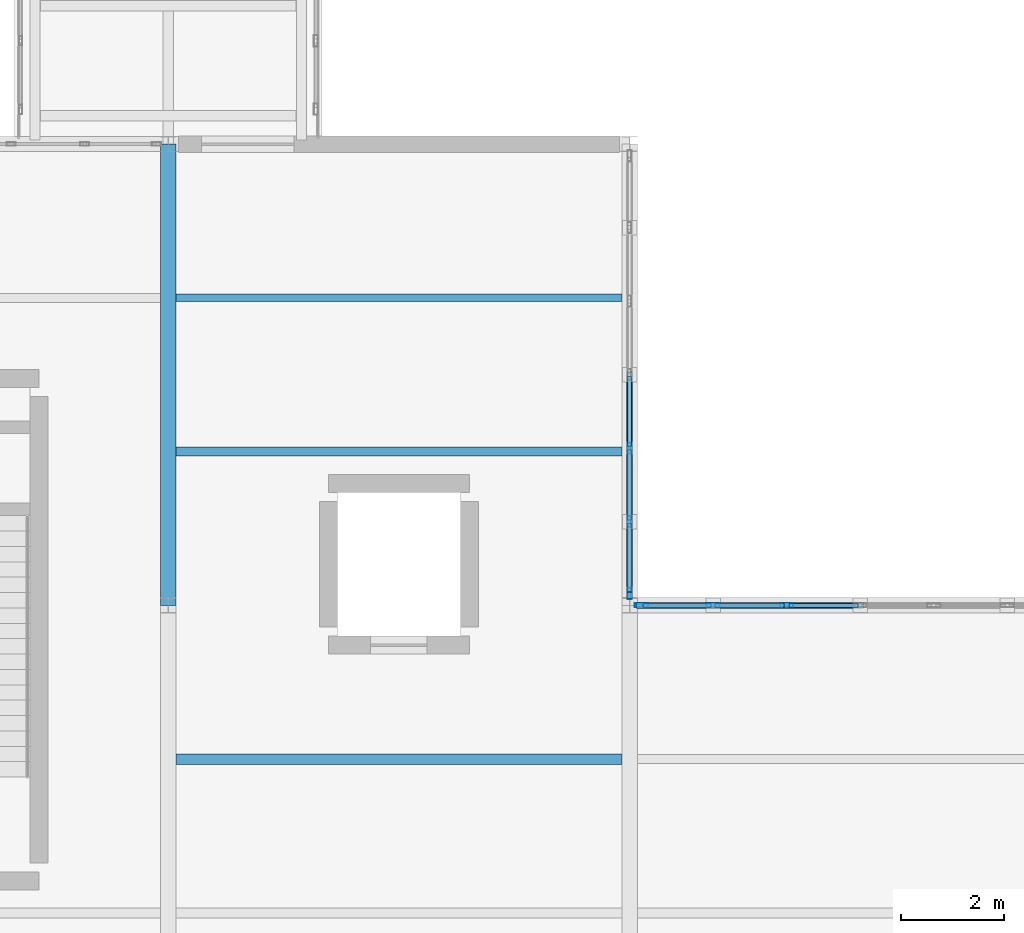
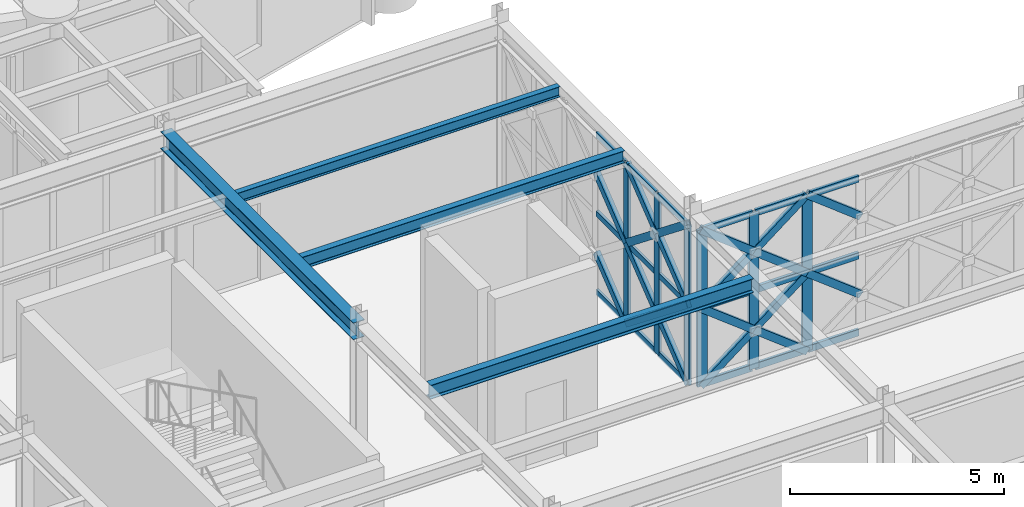
# One storey, part 43 of 155: 40 members, 4 beams, 2 elements without a shape of their own.
"""IFC4 building model written with IfcOpenShell, lengths in metres."""

from ifc_helpers import new_model, si_unit, direction, frame, origin, origin_2d, place, context, subcontext, project, spatial, hollow_rectangle, i_section, extrude, material, material_profile, profile_set, type_object, element, aggregate, save


model = new_model("IFC4")

# Units and contexts
model_context = context("Model", 3, precision=1e-05, world=origin(), true_north=direction((0.0, 1.0)))
body_context = subcontext(model_context, "Body", "Model", "MODEL_VIEW")
ifc_project = project(units=[si_unit("LENGTHUNIT", "METRE"), si_unit("AREAUNIT", "SQUARE_METRE"), si_unit("VOLUMEUNIT", "CUBIC_METRE"), si_unit("PLANEANGLEUNIT", "RADIAN"), si_unit("MASSUNIT", "GRAM", prefix="KILO")], contexts=[model_context])

# Site, building, storey
site_placement = place(None, origin())
site = spatial("IfcSite", under=ifc_project, at=site_placement, CompositionType="ELEMENT")
building_placement = place(site_placement, origin())
building = spatial("IfcBuilding", under=site, at=building_placement, Name="Haizhuo Lancet Aquarium", CompositionType="ELEMENT")
storey_placement = place(building_placement, frame((0.0, 0.0, 10.800048828125)))
storey = spatial("IfcBuildingStorey", under=building, at=storey_placement, Name="L02", CompositionType="ELEMENT", Elevation=10.800048828125)

# Beam
ifc_material_1 = material(Name="Steel S355", Category="steel")
ifc_material_profile_1 = material_profile(ifc_material_1, i_section(OverallWidth=0.300048828125, OverallDepth=0.488037109375, WebThickness=0.010986328125, FlangeThickness=0.01806640625, FilletRadius=0.02392578125, at=origin_2d()), Name="HM 488x300x11x18")
ifc_profile_set_1 = profile_set([ifc_material_profile_1], Name="Steel S355")
beam_type_1 = type_object("IfcBeamType", Name="BM-ST-HM488", PredefinedType="BEAM", material=ifc_profile_set_1)
beam_1_placement = place(storey_placement, frame((0.0, -36.0, 4.805908203125), z_axis=(0.0, 1.0, 0.0), x_axis=(-1.0, 0.0, 0.0)))
element("IfcBeam", 1, at=beam_1_placement, inside=storey, type_object=beam_type_1, Name="L02 V4 primary girder BM-L02-V4-018", PredefinedType="BEAM", context=body_context, shape_type="SweptSolid", body=[
    extrude(i_section(OverallWidth=0.300048828125, OverallDepth=0.488037109375, WebThickness=0.010986328125, FlangeThickness=0.01806640625, FilletRadius=0.02392578125, at=origin_2d()), origin(), (0.0, 0.0, 1.0), 9.0),
])

# Curtain wall, members
ifc_material_2 = material(Name="Aluminium 6063-T6", Category="aluminium")
curtain_wall_type_1 = type_object("IfcCurtainWallType", Name="CWO-8610x4560", PredefinedType="NOTDEFINED", material=ifc_material_2)
curtain_wall_1_placement = place(storey_placement, origin())
curtain_wall_1 = element("IfcCurtainWall", 2, at=curtain_wall_1_placement, inside=storey, type_object=curtain_wall_type_1, Name="L02 curtain wall CW-V4-L02-104", PredefinedType="NOTDEFINED")
ifc_material_profile_2 = material_profile(ifc_material_2, hollow_rectangle(XDim=0.074951171875, YDim=0.219970703125, WallThickness=0.0048828125, at=origin_2d()), Name="ALU-M 75x220x5")
ifc_profile_set_2 = profile_set([ifc_material_profile_2], Name="Aluminium 6063-T6")
member_type_1 = type_object("IfcMemberType", Name="CW-MUL-2", PredefinedType="MULLION", material=ifc_profile_set_2)
member_1_placement = place(storey_placement, frame((9.0, -32.93505859375, 0.0), z_axis=(0.0, 0.0, 1.0), x_axis=(1.0, 0.0, 0.0)))
member_1 = element("IfcMember", 3, at=member_1_placement, type_object=member_type_1, Name="CWO-86x45 mullion 5", PredefinedType="MULLION", context=body_context, shape_type="SweptSolid", body=[
    extrude(hollow_rectangle(XDim=0.074951171875, YDim=0.219970703125, WallThickness=0.0048828125, at=origin_2d()), origin(), (0.0, 0.0, 1.0), 4.56201171875),
])
member_2_placement = place(storey_placement, frame((9.0, -34.3701171875, 0.0), z_axis=(0.0, 0.0, 1.0), x_axis=(1.0, 0.0, 0.0)))
member_2 = element("IfcMember", 4, at=member_2_placement, type_object=member_type_1, Name="CWO-86x45 mullion 6", PredefinedType="MULLION", context=body_context, shape_type="SweptSolid", body=[
    extrude(hollow_rectangle(XDim=0.074951171875, YDim=0.219970703125, WallThickness=0.0048828125, at=origin_2d()), origin(), (0.0, 0.0, 1.0), 4.56201171875),
])
member_3_placement = place(storey_placement, frame((9.0, -35.76708984375, 0.0), z_axis=(0.0, 0.0, 1.0), x_axis=(1.0, 0.0, 0.0)))
member_3 = element("IfcMember", 5, at=member_3_placement, type_object=member_type_1, Name="CWO-86x45 mullion 7", PredefinedType="MULLION", context=body_context, shape_type="SweptSolid", body=[
    extrude(hollow_rectangle(XDim=0.074951171875, YDim=0.219970703125, WallThickness=0.0048828125, at=origin_2d()), origin(), (0.0, 0.0, 1.0), 4.56201171875),
])

curtain_wall_type_2 = type_object("IfcCurtainWallType", Name="CWO-8610x4460", PredefinedType="NOTDEFINED", material=ifc_material_2)
curtain_wall_2_placement = place(storey_placement, origin())
curtain_wall_2 = element("IfcCurtainWall", 6, at=curtain_wall_2_placement, inside=storey, type_object=curtain_wall_type_2, Name="L02 curtain wall CW-V4-L02-105", PredefinedType="NOTDEFINED")
ifc_material_profile_3 = material_profile(ifc_material_2, hollow_rectangle(XDim=0.080078125, YDim=0.260009765625, WallThickness=0.0048828125, at=origin_2d()), Name="ALU-M 80x260x5")
ifc_profile_set_3 = profile_set([ifc_material_profile_3], Name="Aluminium 6063-T6")
member_type_2 = type_object("IfcMemberType", Name="CW-MUL-3", PredefinedType="MULLION", material=ifc_profile_set_3)
member_4_placement = place(storey_placement, frame((9.235107421875, -36.0, 0.0), z_axis=(0.0, 0.0, 1.0), x_axis=(0.0, 1.0, 0.0)))
member_4 = element("IfcMember", 7, at=member_4_placement, type_object=member_type_2, Name="CWO-86x44 mullion 1", PredefinedType="MULLION", context=body_context, shape_type="SweptSolid", body=[
    extrude(hollow_rectangle(XDim=0.080078125, YDim=0.260009765625, WallThickness=0.0048828125, at=origin_2d()), origin(), (0.0, 0.0, 1.0), 4.4619140625),
])
member_5_placement = place(storey_placement, frame((10.6298828125, -36.0, 0.0), z_axis=(0.0, 0.0, 1.0), x_axis=(0.0, 1.0, 0.0)))
member_5 = element("IfcMember", 8, at=member_5_placement, type_object=member_type_2, Name="CWO-86x44 mullion 2", PredefinedType="MULLION", context=body_context, shape_type="SweptSolid", body=[
    extrude(hollow_rectangle(XDim=0.080078125, YDim=0.260009765625, WallThickness=0.0048828125, at=origin_2d()), origin(), (0.0, 0.0, 1.0), 4.4619140625),
])
member_6_placement = place(storey_placement, frame((12.06494140625, -36.0, 0.0), z_axis=(0.0, 0.0, 1.0), x_axis=(0.0, 1.0, 0.0)))
member_6 = element("IfcMember", 9, at=member_6_placement, type_object=member_type_2, Name="CWO-86x44 mullion 3", PredefinedType="MULLION", context=body_context, shape_type="SweptSolid", body=[
    extrude(hollow_rectangle(XDim=0.080078125, YDim=0.260009765625, WallThickness=0.0048828125, at=origin_2d()), origin(), (0.0, 0.0, 1.0), 4.4619140625),
])

# Member
ifc_material_profile_4 = material_profile(ifc_material_2, hollow_rectangle(XDim=0.074951171875, YDim=0.159912109375, WallThickness=0.00390625, at=origin_2d()), Name="ALU-T 75x160x4")
ifc_profile_set_4 = profile_set([ifc_material_profile_4], Name="Aluminium 6063-T6")
member_type_3 = type_object("IfcMemberType", Name="CW-TRN-2", PredefinedType="NOTDEFINED", material=ifc_profile_set_4)
member_7_placement = place(storey_placement, frame((9.0, -31.5380859375, 0.037841796875), z_axis=(0.0, -1.0, 0.0), x_axis=(1.0, 0.0, 0.0)))
member_7 = element("IfcMember", 10, at=member_7_placement, type_object=member_type_3, Name="CWO-86x45 transom 4.1", ObjectType="TRANSOM", PredefinedType="USERDEFINED", context=body_context, shape_type="SweptSolid", body=[
    extrude(hollow_rectangle(XDim=0.074951171875, YDim=0.159912109375, WallThickness=0.00390625, at=origin_2d()), origin(), (0.0, 0.0, 1.0), 1.35986328125),
])

member_8_placement = place(storey_placement, frame((9.0, -31.5380859375, 2.281005859375), z_axis=(0.0, -1.0, 0.0), x_axis=(1.0, 0.0, 0.0)))
member_8 = element("IfcMember", 11, at=member_8_placement, type_object=member_type_3, Name="CWO-86x45 transom 4.2", ObjectType="TRANSOM", PredefinedType="USERDEFINED", context=body_context, shape_type="SweptSolid", body=[
    extrude(hollow_rectangle(XDim=0.074951171875, YDim=0.159912109375, WallThickness=0.00390625, at=origin_2d()), origin(), (0.0, 0.0, 1.0), 1.35986328125),
])

member_9_placement = place(storey_placement, frame((9.0, -31.5380859375, 4.52490234375), z_axis=(0.0, -1.0, 0.0), x_axis=(1.0, 0.0, 0.0)))
member_9 = element("IfcMember", 12, at=member_9_placement, type_object=member_type_3, Name="CWO-86x45 transom 4.3", ObjectType="TRANSOM", PredefinedType="USERDEFINED", context=body_context, shape_type="SweptSolid", body=[
    extrude(hollow_rectangle(XDim=0.074951171875, YDim=0.159912109375, WallThickness=0.00390625, at=origin_2d()), origin(), (0.0, 0.0, 1.0), 1.35986328125),
])

member_10_placement = place(storey_placement, frame((9.0, -32.971923828125, 0.037841796875), z_axis=(0.0, -1.0, 0.0), x_axis=(1.0, 0.0, 0.0)))
member_10 = element("IfcMember", 13, at=member_10_placement, type_object=member_type_3, Name="CWO-86x45 transom 5.1", ObjectType="TRANSOM", PredefinedType="USERDEFINED", context=body_context, shape_type="SweptSolid", body=[
    extrude(hollow_rectangle(XDim=0.074951171875, YDim=0.159912109375, WallThickness=0.00390625, at=origin_2d()), origin(), (0.0, 0.0, 1.0), 1.360107421875),
])

member_11_placement = place(storey_placement, frame((9.0, -32.971923828125, 2.281005859375), z_axis=(0.0, -1.0, 0.0), x_axis=(1.0, 0.0, 0.0)))
member_11 = element("IfcMember", 14, at=member_11_placement, type_object=member_type_3, Name="CWO-86x45 transom 5.2", ObjectType="TRANSOM", PredefinedType="USERDEFINED", context=body_context, shape_type="SweptSolid", body=[
    extrude(hollow_rectangle(XDim=0.074951171875, YDim=0.159912109375, WallThickness=0.00390625, at=origin_2d()), origin(), (0.0, 0.0, 1.0), 1.360107421875),
])

member_12_placement = place(storey_placement, frame((9.0, -32.971923828125, 4.52490234375), z_axis=(0.0, -1.0, 0.0), x_axis=(1.0, 0.0, 0.0)))
member_12 = element("IfcMember", 15, at=member_12_placement, type_object=member_type_3, Name="CWO-86x45 transom 5.3", ObjectType="TRANSOM", PredefinedType="USERDEFINED", context=body_context, shape_type="SweptSolid", body=[
    extrude(hollow_rectangle(XDim=0.074951171875, YDim=0.159912109375, WallThickness=0.00390625, at=origin_2d()), origin(), (0.0, 0.0, 1.0), 1.360107421875),
])

member_13_placement = place(storey_placement, frame((9.0, -34.406982421875, 0.037841796875), z_axis=(0.0, -1.0, 0.0), x_axis=(1.0, 0.0, 0.0)))
member_13 = element("IfcMember", 16, at=member_13_placement, type_object=member_type_3, Name="CWO-86x45 transom 6.1", ObjectType="TRANSOM", PredefinedType="USERDEFINED", context=body_context, shape_type="SweptSolid", body=[
    extrude(hollow_rectangle(XDim=0.074951171875, YDim=0.159912109375, WallThickness=0.00390625, at=origin_2d()), origin(), (0.0, 0.0, 1.0), 1.322998046875),
])

member_14_placement = place(storey_placement, frame((9.0, -34.406982421875, 2.281005859375), z_axis=(0.0, -1.0, 0.0), x_axis=(1.0, 0.0, 0.0)))
member_14 = element("IfcMember", 17, at=member_14_placement, type_object=member_type_3, Name="CWO-86x45 transom 6.2", ObjectType="TRANSOM", PredefinedType="USERDEFINED", context=body_context, shape_type="SweptSolid", body=[
    extrude(hollow_rectangle(XDim=0.074951171875, YDim=0.159912109375, WallThickness=0.00390625, at=origin_2d()), origin(), (0.0, 0.0, 1.0), 1.322998046875),
])

member_15_placement = place(storey_placement, frame((9.0, -34.406982421875, 4.52490234375), z_axis=(0.0, -1.0, 0.0), x_axis=(1.0, 0.0, 0.0)))
member_15 = element("IfcMember", 18, at=member_15_placement, type_object=member_type_3, Name="CWO-86x45 transom 6.3", ObjectType="TRANSOM", PredefinedType="USERDEFINED", context=body_context, shape_type="SweptSolid", body=[
    extrude(hollow_rectangle(XDim=0.074951171875, YDim=0.159912109375, WallThickness=0.00390625, at=origin_2d()), origin(), (0.0, 0.0, 1.0), 1.322998046875),
])

aggregate(curtain_wall_1, [member_1, member_2, member_3, member_7, member_8, member_9, member_10, member_11, member_12, member_13, member_14, member_15])

ifc_material_profile_5 = material_profile(ifc_material_2, hollow_rectangle(XDim=0.080078125, YDim=0.18994140625, WallThickness=0.0048828125, at=origin_2d()), Name="ALU-T 80x190x5")
ifc_profile_set_5 = profile_set([ifc_material_profile_5], Name="Aluminium 6063-T6")
member_type_4 = type_object("IfcMemberType", Name="CW-TRN-3", PredefinedType="NOTDEFINED", material=ifc_profile_set_5)
member_16_placement = place(storey_placement, frame((9.27490234375, -36.0, 0.0400390625), z_axis=(1.0, 0.0, 0.0), x_axis=(0.0, 1.0, 0.0)))
member_16 = element("IfcMember", 19, at=member_16_placement, type_object=member_type_4, Name="CWO-86x44 transom 1.1", ObjectType="TRANSOM", PredefinedType="USERDEFINED", context=body_context, shape_type="SweptSolid", body=[
    extrude(hollow_rectangle(XDim=0.080078125, YDim=0.18994140625, WallThickness=0.0048828125, at=origin_2d()), origin(), (0.0, 0.0, 1.0), 1.315185546875),
])

member_17_placement = place(storey_placement, frame((9.27490234375, -36.0, 2.23095703125), z_axis=(1.0, 0.0, 0.0), x_axis=(0.0, 1.0, 0.0)))
member_17 = element("IfcMember", 20, at=member_17_placement, type_object=member_type_4, Name="CWO-86x44 transom 1.2", ObjectType="TRANSOM", PredefinedType="USERDEFINED", context=body_context, shape_type="SweptSolid", body=[
    extrude(hollow_rectangle(XDim=0.080078125, YDim=0.18994140625, WallThickness=0.0048828125, at=origin_2d()), origin(), (0.0, 0.0, 1.0), 1.315185546875),
])

member_18_placement = place(storey_placement, frame((9.27490234375, -36.0, 4.421875), z_axis=(1.0, 0.0, 0.0), x_axis=(0.0, 1.0, 0.0)))
member_18 = element("IfcMember", 21, at=member_18_placement, type_object=member_type_4, Name="CWO-86x44 transom 1.3", ObjectType="TRANSOM", PredefinedType="USERDEFINED", context=body_context, shape_type="SweptSolid", body=[
    extrude(hollow_rectangle(XDim=0.080078125, YDim=0.18994140625, WallThickness=0.0048828125, at=origin_2d()), origin(), (0.0, 0.0, 1.0), 1.315185546875),
])

member_19_placement = place(storey_placement, frame((10.669921875, -36.0, 0.0400390625), z_axis=(1.0, 0.0, 0.0), x_axis=(0.0, 1.0, 0.0)))
member_19 = element("IfcMember", 22, at=member_19_placement, type_object=member_type_4, Name="CWO-86x44 transom 2.1", ObjectType="TRANSOM", PredefinedType="USERDEFINED", context=body_context, shape_type="SweptSolid", body=[
    extrude(hollow_rectangle(XDim=0.080078125, YDim=0.18994140625, WallThickness=0.0048828125, at=origin_2d()), origin(), (0.0, 0.0, 1.0), 1.35498046875),
])

member_20_placement = place(storey_placement, frame((10.669921875, -36.0, 2.23095703125), z_axis=(1.0, 0.0, 0.0), x_axis=(0.0, 1.0, 0.0)))
member_20 = element("IfcMember", 23, at=member_20_placement, type_object=member_type_4, Name="CWO-86x44 transom 2.2", ObjectType="TRANSOM", PredefinedType="USERDEFINED", context=body_context, shape_type="SweptSolid", body=[
    extrude(hollow_rectangle(XDim=0.080078125, YDim=0.18994140625, WallThickness=0.0048828125, at=origin_2d()), origin(), (0.0, 0.0, 1.0), 1.35498046875),
])

member_21_placement = place(storey_placement, frame((10.669921875, -36.0, 4.421875), z_axis=(1.0, 0.0, 0.0), x_axis=(0.0, 1.0, 0.0)))
member_21 = element("IfcMember", 24, at=member_21_placement, type_object=member_type_4, Name="CWO-86x44 transom 2.3", ObjectType="TRANSOM", PredefinedType="USERDEFINED", context=body_context, shape_type="SweptSolid", body=[
    extrude(hollow_rectangle(XDim=0.080078125, YDim=0.18994140625, WallThickness=0.0048828125, at=origin_2d()), origin(), (0.0, 0.0, 1.0), 1.35498046875),
])

member_22_placement = place(storey_placement, frame((12.10498046875, -36.0, 0.0400390625), z_axis=(1.0, 0.0, 0.0), x_axis=(0.0, 1.0, 0.0)))
member_22 = element("IfcMember", 25, at=member_22_placement, type_object=member_type_4, Name="CWO-86x44 transom 3.1", ObjectType="TRANSOM", PredefinedType="USERDEFINED", context=body_context, shape_type="SweptSolid", body=[
    extrude(hollow_rectangle(XDim=0.080078125, YDim=0.18994140625, WallThickness=0.0048828125, at=origin_2d()), origin(), (0.0, 0.0, 1.0), 1.35498046875),
])

member_23_placement = place(storey_placement, frame((12.10498046875, -36.0, 2.23095703125), z_axis=(1.0, 0.0, 0.0), x_axis=(0.0, 1.0, 0.0)))
member_23 = element("IfcMember", 26, at=member_23_placement, type_object=member_type_4, Name="CWO-86x44 transom 3.2", ObjectType="TRANSOM", PredefinedType="USERDEFINED", context=body_context, shape_type="SweptSolid", body=[
    extrude(hollow_rectangle(XDim=0.080078125, YDim=0.18994140625, WallThickness=0.0048828125, at=origin_2d()), origin(), (0.0, 0.0, 1.0), 1.35498046875),
])

member_24_placement = place(storey_placement, frame((12.10498046875, -36.0, 4.421875), z_axis=(1.0, 0.0, 0.0), x_axis=(0.0, 1.0, 0.0)))
member_24 = element("IfcMember", 27, at=member_24_placement, type_object=member_type_4, Name="CWO-86x44 transom 3.3", ObjectType="TRANSOM", PredefinedType="USERDEFINED", context=body_context, shape_type="SweptSolid", body=[
    extrude(hollow_rectangle(XDim=0.080078125, YDim=0.18994140625, WallThickness=0.0048828125, at=origin_2d()), origin(), (0.0, 0.0, 1.0), 1.35498046875),
])

aggregate(curtain_wall_2, [member_4, member_5, member_6, member_16, member_17, member_18, member_19, member_20, member_21, member_22, member_23, member_24])

# Beams
ifc_material_profile_6 = material_profile(ifc_material_1, i_section(OverallWidth=0.14990234375, OverallDepth=0.300048828125, WebThickness=0.006591796875, FlangeThickness=0.009033203125, FilletRadius=0.012939453125, at=origin_2d()), Name="HN 300x150x6.5x9")
ifc_profile_set_6 = profile_set([ifc_material_profile_6], Name="Steel S355")
beam_type_2 = type_object("IfcBeamType", Name="JST-ST-HN300", PredefinedType="JOIST", material=ifc_profile_set_6)
beam_2_placement = place(storey_placement, frame((0.14990234375, -30.0, 4.89990234375), z_axis=(1.0, 0.0, 0.0), x_axis=(0.0, 1.0, 0.0)))
element("IfcBeam", 28, at=beam_2_placement, inside=storey, type_object=beam_type_2, Name="L02 V4 secondary floor joist 16", PredefinedType="JOIST", context=body_context, shape_type="SweptSolid", body=[
    extrude(i_section(OverallWidth=0.14990234375, OverallDepth=0.300048828125, WebThickness=0.006591796875, FlangeThickness=0.009033203125, FilletRadius=0.012939453125, at=origin_2d()), origin(), (0.0, 0.0, 1.0), 8.7001953125),
])
ifc_material_profile_7 = material_profile(ifc_material_1, i_section(OverallWidth=0.175048828125, OverallDepth=0.35009765625, WebThickness=0.007080078125, FlangeThickness=0.010986328125, FilletRadius=0.013916015625, at=origin_2d()), Name="HN 350x175x7x11")
ifc_profile_set_7 = profile_set([ifc_material_profile_7], Name="Steel S355")
beam_type_3 = type_object("IfcBeamType", Name="JST-ST-HN350", PredefinedType="JOIST", material=ifc_profile_set_7)
beam_3_placement = place(storey_placement, frame((0.14990234375, -33.0, 4.875), z_axis=(1.0, 0.0, 0.0), x_axis=(0.0, 1.0, 0.0)))
element("IfcBeam", 29, at=beam_3_placement, inside=storey, type_object=beam_type_3, Name="L02 V4 secondary floor joist 15", PredefinedType="JOIST", context=body_context, shape_type="SweptSolid", body=[
    extrude(i_section(OverallWidth=0.175048828125, OverallDepth=0.35009765625, WebThickness=0.007080078125, FlangeThickness=0.010986328125, FilletRadius=0.013916015625, at=origin_2d()), origin(), (0.0, 0.0, 1.0), 8.7001953125),
])
ifc_material_profile_8 = material_profile(ifc_material_1, i_section(OverallWidth=0.199951171875, OverallDepth=0.39990234375, WebThickness=0.008056640625, FlangeThickness=0.012939453125, FilletRadius=0.01611328125, at=origin_2d()), Name="HN 400x200x8x13")
ifc_profile_set_8 = profile_set([ifc_material_profile_8], Name="Steel S355")
beam_type_4 = type_object("IfcBeamType", Name="JST-ST-HN400", PredefinedType="JOIST", material=ifc_profile_set_8)
beam_4_placement = place(storey_placement, frame((0.14990234375, -39.0, 4.849853515625), z_axis=(1.0, 0.0, 0.0), x_axis=(0.0, 1.0, 0.0)))
element("IfcBeam", 30, at=beam_4_placement, inside=storey, type_object=beam_type_4, Name="L02 V4 secondary floor joist 14", PredefinedType="JOIST", context=body_context, shape_type="SweptSolid", body=[
    extrude(i_section(OverallWidth=0.199951171875, OverallDepth=0.39990234375, WebThickness=0.008056640625, FlangeThickness=0.012939453125, FilletRadius=0.01611328125, at=origin_2d()), origin(), (0.0, 0.0, 1.0), 8.7001953125),
])

# Members
ifc_material_profile_9 = material_profile(ifc_material_1, hollow_rectangle(XDim=0.1201171875, YDim=0.199951171875, WallThickness=0.008056640625, at=origin_2d()), Name="RHS 120x200x8")
ifc_profile_set_9 = profile_set([ifc_material_profile_9], Name="Steel S355")
member_type_5 = type_object("IfcMemberType", Name="MEM-LB-RHS120x200", PredefinedType="BRACE", material=ifc_profile_set_9)
member_25_placement = place(storey_placement, frame((9.0, -32.93505859375, 0.0), z_axis=(0.0, 0.78277501707, 0.622304806868), x_axis=(-1.0, 0.0, 0.0)))
element("IfcMember", 31, at=member_25_placement, inside=storey, type_object=member_type_5, Name="Gothic lancet split diagonal brace CW-V4-L02-104 3B1", PredefinedType="BRACE", context=body_context, shape_type="SweptSolid", body=[
    extrude(hollow_rectangle(XDim=0.1201171875, YDim=0.199951171875, WallThickness=0.008056640625, at=origin_2d()), origin(), (0.0, 0.0, 1.0), 1.833251953125),
])
member_26_placement = place(storey_placement, frame((9.0, -32.93505859375, 2.281005859375), z_axis=(0.0, 0.783034517143, 0.621978251198), x_axis=(-1.0, 0.0, 0.0)))
element("IfcMember", 32, at=member_26_placement, inside=storey, type_object=member_type_5, Name="Gothic lancet split diagonal brace CW-V4-L02-104 4B1", PredefinedType="BRACE", context=body_context, shape_type="SweptSolid", body=[
    extrude(hollow_rectangle(XDim=0.1201171875, YDim=0.199951171875, WallThickness=0.008056640625, at=origin_2d()), origin(), (0.0, 0.0, 1.0), 1.832763671875),
])
member_27_placement = place(storey_placement, frame((9.0, -32.93505859375, 0.0), z_axis=(0.0, -0.78284654434, 0.622214824651), x_axis=(1.0, 0.0, 0.0)))
element("IfcMember", 33, at=member_27_placement, inside=storey, type_object=member_type_5, Name="Gothic lancet continuous diagonal brace CW-V4-L02-104 5A", PredefinedType="BRACE", context=body_context, shape_type="SweptSolid", body=[
    extrude(hollow_rectangle(XDim=0.1201171875, YDim=0.199951171875, WallThickness=0.008056640625, at=origin_2d()), origin(), (0.0, 0.0, 1.0), 3.666015625),
])
member_28_placement = place(storey_placement, frame((9.0, -35.804931640625, 0.0), z_axis=(0.0, 0.782723437039, 0.622369682029), x_axis=(-1.0, 0.0, 0.0)))
element("IfcMember", 34, at=member_28_placement, inside=storey, type_object=member_type_5, Name="Gothic lancet split diagonal brace CW-V4-L02-104 5B1", PredefinedType="BRACE", context=body_context, shape_type="SweptSolid", body=[
    extrude(hollow_rectangle(XDim=0.1201171875, YDim=0.199951171875, WallThickness=0.008056640625, at=origin_2d()), origin(), (0.0, 0.0, 1.0), 1.8330078125),
])
member_29_placement = place(storey_placement, frame((9.0, -34.3701171875, 1.140869140625), z_axis=(0.0, 0.782969638769, 0.62205992056), x_axis=(-1.0, 0.0, 0.0)))
element("IfcMember", 35, at=member_29_placement, inside=storey, type_object=member_type_5, Name="Gothic lancet split diagonal brace CW-V4-L02-104 5B2", PredefinedType="BRACE", context=body_context, shape_type="SweptSolid", body=[
    extrude(hollow_rectangle(XDim=0.1201171875, YDim=0.199951171875, WallThickness=0.008056640625, at=origin_2d()), origin(), (0.0, 0.0, 1.0), 1.832763671875),
])
member_30_placement = place(storey_placement, frame((9.0, -32.93505859375, 2.281005859375), z_axis=(0.0, -0.78284654434, 0.622214824651), x_axis=(1.0, 0.0, 0.0)))
element("IfcMember", 36, at=member_30_placement, inside=storey, type_object=member_type_5, Name="Gothic lancet continuous diagonal brace CW-V4-L02-104 6A", PredefinedType="BRACE", context=body_context, shape_type="SweptSolid", body=[
    extrude(hollow_rectangle(XDim=0.1201171875, YDim=0.199951171875, WallThickness=0.008056640625, at=origin_2d()), origin(), (0.0, 0.0, 1.0), 3.666015625),
])
member_31_placement = place(storey_placement, frame((9.0, -35.804931640625, 2.281005859375), z_axis=(0.0, 0.782982974145, 0.622043135321), x_axis=(-1.0, 0.0, 0.0)))
element("IfcMember", 37, at=member_31_placement, inside=storey, type_object=member_type_5, Name="Gothic lancet split diagonal brace CW-V4-L02-104 6B1", PredefinedType="BRACE", context=body_context, shape_type="SweptSolid", body=[
    extrude(hollow_rectangle(XDim=0.1201171875, YDim=0.199951171875, WallThickness=0.008056640625, at=origin_2d()), origin(), (0.0, 0.0, 1.0), 1.83251953125),
])
member_32_placement = place(storey_placement, frame((9.0, -34.3701171875, 3.4208984375), z_axis=(0.0, 0.782710147658, 0.622386395058), x_axis=(-1.0, 0.0, 0.0)))
element("IfcMember", 38, at=member_32_placement, inside=storey, type_object=member_type_5, Name="Gothic lancet split diagonal brace CW-V4-L02-104 6B2", PredefinedType="BRACE", context=body_context, shape_type="SweptSolid", body=[
    extrude(hollow_rectangle(XDim=0.1201171875, YDim=0.199951171875, WallThickness=0.008056640625, at=origin_2d()), origin(), (0.0, 0.0, 1.0), 1.83349609375),
])
member_33_placement = place(storey_placement, frame((9.195068359375, -36.0, 0.0), z_axis=(0.789507701538, 0.0, 0.613740653055), x_axis=(0.0, 1.0, 0.0)))
element("IfcMember", 39, at=member_33_placement, inside=storey, type_object=member_type_5, Name="Gothic lancet continuous diagonal brace CW-V4-L02-105 1A", PredefinedType="BRACE", context=body_context, shape_type="SweptSolid", body=[
    extrude(hollow_rectangle(XDim=0.1201171875, YDim=0.199951171875, WallThickness=0.008056640625, at=origin_2d()), origin(), (0.0, 0.0, 1.0), 3.635009765625),
])
member_34_placement = place(storey_placement, frame((12.06494140625, -36.0, 0.0), z_axis=(-0.789402834657, 0.0, 0.613875528618), x_axis=(0.0, -1.0, 0.0)))
element("IfcMember", 40, at=member_34_placement, inside=storey, type_object=member_type_5, Name="Gothic lancet split diagonal brace CW-V4-L02-105 1B1", PredefinedType="BRACE", context=body_context, shape_type="SweptSolid", body=[
    extrude(hollow_rectangle(XDim=0.1201171875, YDim=0.199951171875, WallThickness=0.008056640625, at=origin_2d()), origin(), (0.0, 0.0, 1.0), 1.81787109375),
])
member_35_placement = place(storey_placement, frame((10.6298828125, -36.0, 1.115966796875), z_axis=(-0.789612591073, 0.0, 0.613605700771), x_axis=(0.0, -1.0, 0.0)))
element("IfcMember", 41, at=member_35_placement, inside=storey, type_object=member_type_5, Name="Gothic lancet split diagonal brace CW-V4-L02-105 1B2", PredefinedType="BRACE", context=body_context, shape_type="SweptSolid", body=[
    extrude(hollow_rectangle(XDim=0.1201171875, YDim=0.199951171875, WallThickness=0.008056640625, at=origin_2d()), origin(), (0.0, 0.0, 1.0), 1.817138671875),
])
member_36_placement = place(storey_placement, frame((9.195068359375, -36.0, 2.23095703125), z_axis=(0.789507701538, 0.0, 0.613740653055), x_axis=(0.0, 1.0, 0.0)))
element("IfcMember", 42, at=member_36_placement, inside=storey, type_object=member_type_5, Name="Gothic lancet continuous diagonal brace CW-V4-L02-105 2A", PredefinedType="BRACE", context=body_context, shape_type="SweptSolid", body=[
    extrude(hollow_rectangle(XDim=0.1201171875, YDim=0.199951171875, WallThickness=0.008056640625, at=origin_2d()), origin(), (0.0, 0.0, 1.0), 3.635009765625),
])
member_37_placement = place(storey_placement, frame((12.06494140625, -36.0, 2.23095703125), z_axis=(-0.789663169817, 0.0, 0.613540608464), x_axis=(0.0, -1.0, 0.0)))
element("IfcMember", 43, at=member_37_placement, inside=storey, type_object=member_type_5, Name="Gothic lancet split diagonal brace CW-V4-L02-105 2B1", PredefinedType="BRACE", context=body_context, shape_type="SweptSolid", body=[
    extrude(hollow_rectangle(XDim=0.1201171875, YDim=0.199951171875, WallThickness=0.008056640625, at=origin_2d()), origin(), (0.0, 0.0, 1.0), 1.8173828125),
])
member_38_placement = place(storey_placement, frame((10.6298828125, -36.0, 3.345947265625), z_axis=(-0.789352217376, 0.0, 0.613940613515), x_axis=(0.0, -1.0, 0.0)))
element("IfcMember", 44, at=member_38_placement, inside=storey, type_object=member_type_5, Name="Gothic lancet split diagonal brace CW-V4-L02-105 2B2", PredefinedType="BRACE", context=body_context, shape_type="SweptSolid", body=[
    extrude(hollow_rectangle(XDim=0.1201171875, YDim=0.199951171875, WallThickness=0.008056640625, at=origin_2d()), origin(), (0.0, 0.0, 1.0), 1.817626953125),
])
member_39_placement = place(storey_placement, frame((13.5, -36.0, 1.115966796875), z_axis=(-0.789663169817, 0.0, 0.613540608464), x_axis=(0.0, -1.0, 0.0)))
element("IfcMember", 45, at=member_39_placement, inside=storey, type_object=member_type_5, Name="Gothic lancet split diagonal brace CW-V4-L02-105 3B2", PredefinedType="BRACE", context=body_context, shape_type="SweptSolid", body=[
    extrude(hollow_rectangle(XDim=0.1201171875, YDim=0.199951171875, WallThickness=0.008056640625, at=origin_2d()), origin(), (0.0, 0.0, 1.0), 1.8173828125),
])
member_40_placement = place(storey_placement, frame((13.5, -36.0, 3.345947265625), z_axis=(-0.789402834657, 0.0, 0.613875528618), x_axis=(0.0, -1.0, 0.0)))
element("IfcMember", 46, at=member_40_placement, inside=storey, type_object=member_type_5, Name="Gothic lancet split diagonal brace CW-V4-L02-105 4B2", PredefinedType="BRACE", context=body_context, shape_type="SweptSolid", body=[
    extrude(hollow_rectangle(XDim=0.1201171875, YDim=0.199951171875, WallThickness=0.008056640625, at=origin_2d()), origin(), (0.0, 0.0, 1.0), 1.81787109375),
])

save(model, "model.ifc")
